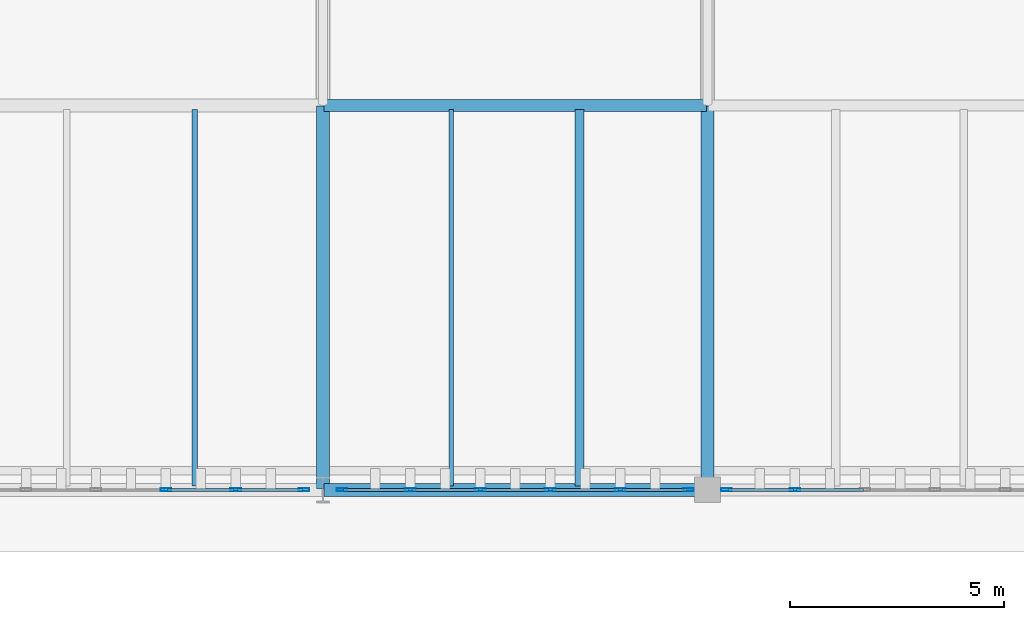
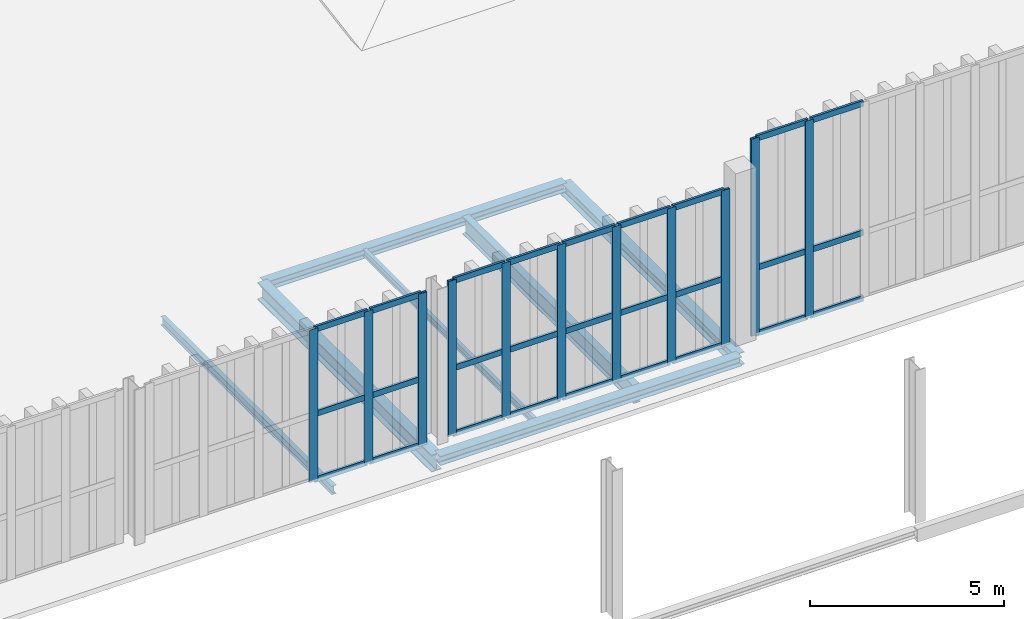
# One storey, part 23 of 196: 38 members, 7 beams, 3 elements without a shape of their own.
"""IFC4 building model written with IfcOpenShell, lengths in metres."""

from ifc_helpers import new_model, si_unit, direction, frame, origin, origin_2d, place, context, subcontext, project, spatial, hollow_rectangle, i_section, extrude, material, layer, layer_set, material_profile, profile_set, type_object, element, aggregate, save


model = new_model("IFC4")

# Units and contexts
model_context = context("Model", 3, precision=1e-05, world=origin(), true_north=direction((0.0, 1.0)))
body_context = subcontext(model_context, "Body", "Model", "MODEL_VIEW")
ifc_project = project(units=[si_unit("LENGTHUNIT", "METRE"), si_unit("AREAUNIT", "SQUARE_METRE"), si_unit("VOLUMEUNIT", "CUBIC_METRE"), si_unit("PLANEANGLEUNIT", "RADIAN"), si_unit("MASSUNIT", "GRAM", prefix="KILO")], contexts=[model_context])

# Site, building, storey
site_placement = place(None, origin())
site = spatial("IfcSite", under=ifc_project, at=site_placement, CompositionType="ELEMENT")
building_placement = place(site_placement, origin())
building = spatial("IfcBuilding", under=site, at=building_placement, Name="Barlavento Convention Centre", CompositionType="ELEMENT")
storey_placement = place(building_placement, frame((0.0, 0.0, 18.0)))
storey = spatial("IfcBuildingStorey", under=building, at=storey_placement, Name="L03", CompositionType="ELEMENT", Elevation=18.0)

# Curtain wall, members
ifc_material_1 = material(Name="Powder-coated aluminium and Low-E glass", Category="aluminium")
ifc_layer = layer(ifc_material_1, 0.18994140625)
ifc_layer_set = layer_set([ifc_layer], Name="ARC-CW-CONG-L02")
curtain_wall_type = type_object("IfcCurtainWallType", Name="ARC-CW-CONG-L02", PredefinedType="NOTDEFINED", material=ifc_layer_set)
curtain_wall_1_placement = place(storey_placement, origin())
curtain_wall_1 = element("IfcCurtainWall", 1, at=curtain_wall_1_placement, inside=storey, type_object=curtain_wall_type, Name="L03 unitised curtain wall CW02", PredefinedType="NOTDEFINED")
ifc_material_2 = material(Name="Powder-coated aluminium", Category="aluminium")
ifc_material_profile_1 = material_profile(ifc_material_2, hollow_rectangle(XDim=0.074951171875, YDim=0.25, WallThickness=0.006103515625, at=origin_2d()), Name="AL-MULL 75x250x6")
ifc_profile_set_1 = profile_set([ifc_material_profile_1], Name="Powder-coated aluminium")
member_type_1 = type_object("IfcMemberType", Name="ARC-CWM-75X250", PredefinedType="MULLION", material=ifc_profile_set_1)
member_1_placement = place(storey_placement, frame((32.322998046875, 54.0, 0.10009765625), z_axis=(0.0, 0.0, 1.0), x_axis=(0.0, 1.0, 0.0)))
member_1 = element("IfcMember", 2, at=member_1_placement, type_object=member_type_1, Name="CW02 mullion 4", PredefinedType="MULLION", context=body_context, shape_type="SweptSolid", body=[
    extrude(hollow_rectangle(XDim=0.074951171875, YDim=0.25, WallThickness=0.006103515625, at=origin_2d()), origin(), (0.0, 0.0, 1.0), 4.788818359375),
])
member_2_placement = place(storey_placement, frame((33.958984375, 54.0, 0.10009765625), z_axis=(0.0, 0.0, 1.0), x_axis=(0.0, 1.0, 0.0)))
member_2 = element("IfcMember", 3, at=member_2_placement, type_object=member_type_1, Name="CW02 mullion 5", PredefinedType="MULLION", context=body_context, shape_type="SweptSolid", body=[
    extrude(hollow_rectangle(XDim=0.074951171875, YDim=0.25, WallThickness=0.006103515625, at=origin_2d()), origin(), (0.0, 0.0, 1.0), 4.788818359375),
])
member_3_placement = place(storey_placement, frame((35.5576171875, 54.0, 0.10009765625), z_axis=(0.0, 0.0, 1.0), x_axis=(0.0, 1.0, 0.0)))
member_3 = element("IfcMember", 4, at=member_3_placement, type_object=member_type_1, Name="CW02 mullion 6", PredefinedType="MULLION", context=body_context, shape_type="SweptSolid", body=[
    extrude(hollow_rectangle(XDim=0.074951171875, YDim=0.25, WallThickness=0.006103515625, at=origin_2d()), origin(), (0.0, 0.0, 1.0), 4.788818359375),
])

curtain_wall_2_placement = place(storey_placement, origin())
curtain_wall_2 = element("IfcCurtainWall", 5, at=curtain_wall_2_placement, inside=storey, type_object=curtain_wall_type, Name="L03 unitised curtain wall CW02", PredefinedType="NOTDEFINED")
member_4_placement = place(storey_placement, frame((36.4423828125, 54.0, 0.10009765625), z_axis=(0.0, 0.0, 1.0), x_axis=(0.0, 1.0, 0.0)))
member_4 = element("IfcMember", 6, at=member_4_placement, type_object=member_type_1, Name="CW02 mullion 1", PredefinedType="MULLION", context=body_context, shape_type="SweptSolid", body=[
    extrude(hollow_rectangle(XDim=0.074951171875, YDim=0.25, WallThickness=0.006103515625, at=origin_2d()), origin(), (0.0, 0.0, 1.0), 4.8759765625),
])
member_5_placement = place(storey_placement, frame((38.04296875, 54.0, 0.10009765625), z_axis=(0.0, 0.0, 1.0), x_axis=(0.0, 1.0, 0.0)))
member_5 = element("IfcMember", 7, at=member_5_placement, type_object=member_type_1, Name="CW02 mullion 2", PredefinedType="MULLION", context=body_context, shape_type="SweptSolid", body=[
    extrude(hollow_rectangle(XDim=0.074951171875, YDim=0.25, WallThickness=0.006103515625, at=origin_2d()), origin(), (0.0, 0.0, 1.0), 4.8759765625),
])
member_6_placement = place(storey_placement, frame((39.680908203125, 54.0, 0.10009765625), z_axis=(0.0, 0.0, 1.0), x_axis=(0.0, 1.0, 0.0)))
member_6 = element("IfcMember", 8, at=member_6_placement, type_object=member_type_1, Name="CW02 mullion 3", PredefinedType="MULLION", context=body_context, shape_type="SweptSolid", body=[
    extrude(hollow_rectangle(XDim=0.074951171875, YDim=0.25, WallThickness=0.006103515625, at=origin_2d()), origin(), (0.0, 0.0, 1.0), 4.8759765625),
])
member_7_placement = place(storey_placement, frame((41.319091796875, 54.0, 0.10009765625), z_axis=(0.0, 0.0, 1.0), x_axis=(0.0, 1.0, 0.0)))
member_7 = element("IfcMember", 9, at=member_7_placement, type_object=member_type_1, Name="CW02 mullion 4", PredefinedType="MULLION", context=body_context, shape_type="SweptSolid", body=[
    extrude(hollow_rectangle(XDim=0.074951171875, YDim=0.25, WallThickness=0.006103515625, at=origin_2d()), origin(), (0.0, 0.0, 1.0), 4.8759765625),
])
member_8_placement = place(storey_placement, frame((42.95703125, 54.0, 0.10009765625), z_axis=(0.0, 0.0, 1.0), x_axis=(0.0, 1.0, 0.0)))
member_8 = element("IfcMember", 10, at=member_8_placement, type_object=member_type_1, Name="CW02 mullion 5", PredefinedType="MULLION", context=body_context, shape_type="SweptSolid", body=[
    extrude(hollow_rectangle(XDim=0.074951171875, YDim=0.25, WallThickness=0.006103515625, at=origin_2d()), origin(), (0.0, 0.0, 1.0), 4.8759765625),
])
member_9_placement = place(storey_placement, frame((44.5576171875, 54.0, 0.10009765625), z_axis=(0.0, 0.0, 1.0), x_axis=(0.0, 1.0, 0.0)))
member_9 = element("IfcMember", 11, at=member_9_placement, type_object=member_type_1, Name="CW02 mullion 6", PredefinedType="MULLION", context=body_context, shape_type="SweptSolid", body=[
    extrude(hollow_rectangle(XDim=0.074951171875, YDim=0.25, WallThickness=0.006103515625, at=origin_2d()), origin(), (0.0, 0.0, 1.0), 4.8759765625),
])

curtain_wall_3_placement = place(storey_placement, origin())
curtain_wall_3 = element("IfcCurtainWall", 12, at=curtain_wall_3_placement, inside=storey, type_object=curtain_wall_type, Name="L03 unitised curtain wall CW02", PredefinedType="NOTDEFINED")
member_10_placement = place(storey_placement, frame((45.4423828125, 54.0, 0.10009765625), z_axis=(0.0, 0.0, 1.0), x_axis=(0.0, 1.0, 0.0)))
member_10 = element("IfcMember", 13, at=member_10_placement, type_object=member_type_1, Name="CW02 mullion 1", PredefinedType="MULLION", context=body_context, shape_type="SweptSolid", body=[
    extrude(hollow_rectangle(XDim=0.074951171875, YDim=0.25, WallThickness=0.006103515625, at=origin_2d()), origin(), (0.0, 0.0, 1.0), 6.19287109375),
])
member_11_placement = place(storey_placement, frame((47.0458984375, 54.0, 0.10009765625), z_axis=(0.0, 0.0, 1.0), x_axis=(0.0, 1.0, 0.0)))
member_11 = element("IfcMember", 14, at=member_11_placement, type_object=member_type_1, Name="CW02 mullion 2", PredefinedType="MULLION", context=body_context, shape_type="SweptSolid", body=[
    extrude(hollow_rectangle(XDim=0.074951171875, YDim=0.25, WallThickness=0.006103515625, at=origin_2d()), origin(), (0.0, 0.0, 1.0), 6.19287109375),
])

# Member
ifc_material_profile_2 = material_profile(ifc_material_2, hollow_rectangle(XDim=0.070068359375, YDim=0.179931640625, WallThickness=0.0048828125, at=origin_2d()), Name="AL-TRAN 70x180x5")
ifc_profile_set_2 = profile_set([ifc_material_profile_2], Name="Powder-coated aluminium")
member_type_2 = type_object("IfcMemberType", Name="ARC-CWT-70X180", PredefinedType="USERDEFINED", material=ifc_profile_set_2)
member_12_placement = place(storey_placement, frame((32.360595703125, 54.0, 0.135009765625), z_axis=(1.0, 0.0, 0.0), x_axis=(0.0, 1.0, 0.0)))
member_12 = element("IfcMember", 15, at=member_12_placement, type_object=member_type_2, Name="CW02 transom 4.1", ObjectType="TRANSOM", PredefinedType="USERDEFINED", context=body_context, shape_type="SweptSolid", body=[
    extrude(hollow_rectangle(XDim=0.070068359375, YDim=0.179931640625, WallThickness=0.0048828125, at=origin_2d()), origin(), (0.0, 0.0, 1.0), 1.560791015625),
])

member_13_placement = place(storey_placement, frame((32.360595703125, 54.0, 2.199951171875), z_axis=(1.0, 0.0, 0.0), x_axis=(0.0, 1.0, 0.0)))
member_13 = element("IfcMember", 16, at=member_13_placement, type_object=member_type_2, Name="CW02 transom 4.2", ObjectType="TRANSOM", PredefinedType="USERDEFINED", context=body_context, shape_type="SweptSolid", body=[
    extrude(hollow_rectangle(XDim=0.070068359375, YDim=0.179931640625, WallThickness=0.0048828125, at=origin_2d()), origin(), (0.0, 0.0, 1.0), 1.560791015625),
])

member_14_placement = place(storey_placement, frame((32.360595703125, 54.0, 4.85400390625), z_axis=(1.0, 0.0, 0.0), x_axis=(0.0, 1.0, 0.0)))
member_14 = element("IfcMember", 17, at=member_14_placement, type_object=member_type_2, Name="CW02 transom 4.3", ObjectType="TRANSOM", PredefinedType="USERDEFINED", context=body_context, shape_type="SweptSolid", body=[
    extrude(hollow_rectangle(XDim=0.070068359375, YDim=0.179931640625, WallThickness=0.0048828125, at=origin_2d()), origin(), (0.0, 0.0, 1.0), 1.560791015625),
])

member_15_placement = place(storey_placement, frame((33.99658203125, 54.0, 0.135009765625), z_axis=(1.0, 0.0, 0.0), x_axis=(0.0, 1.0, 0.0)))
member_15 = element("IfcMember", 18, at=member_15_placement, type_object=member_type_2, Name="CW02 transom 5.1", ObjectType="TRANSOM", PredefinedType="USERDEFINED", context=body_context, shape_type="SweptSolid", body=[
    extrude(hollow_rectangle(XDim=0.070068359375, YDim=0.179931640625, WallThickness=0.0048828125, at=origin_2d()), origin(), (0.0, 0.0, 1.0), 1.5234375),
])

member_16_placement = place(storey_placement, frame((33.99658203125, 54.0, 2.199951171875), z_axis=(1.0, 0.0, 0.0), x_axis=(0.0, 1.0, 0.0)))
member_16 = element("IfcMember", 19, at=member_16_placement, type_object=member_type_2, Name="CW02 transom 5.2", ObjectType="TRANSOM", PredefinedType="USERDEFINED", context=body_context, shape_type="SweptSolid", body=[
    extrude(hollow_rectangle(XDim=0.070068359375, YDim=0.179931640625, WallThickness=0.0048828125, at=origin_2d()), origin(), (0.0, 0.0, 1.0), 1.5234375),
])

member_17_placement = place(storey_placement, frame((33.99658203125, 54.0, 4.85400390625), z_axis=(1.0, 0.0, 0.0), x_axis=(0.0, 1.0, 0.0)))
member_17 = element("IfcMember", 20, at=member_17_placement, type_object=member_type_2, Name="CW02 transom 5.3", ObjectType="TRANSOM", PredefinedType="USERDEFINED", context=body_context, shape_type="SweptSolid", body=[
    extrude(hollow_rectangle(XDim=0.070068359375, YDim=0.179931640625, WallThickness=0.0048828125, at=origin_2d()), origin(), (0.0, 0.0, 1.0), 1.5234375),
])

aggregate(curtain_wall_1, [member_1, member_2, member_3, member_12, member_13, member_14, member_15, member_16, member_17])

member_18_placement = place(storey_placement, frame((36.47998046875, 54.0, 0.135009765625), z_axis=(1.0, 0.0, 0.0), x_axis=(0.0, 1.0, 0.0)))
member_18 = element("IfcMember", 21, at=member_18_placement, type_object=member_type_2, Name="CW02 transom 1.1", ObjectType="TRANSOM", PredefinedType="USERDEFINED", context=body_context, shape_type="SweptSolid", body=[
    extrude(hollow_rectangle(XDim=0.070068359375, YDim=0.179931640625, WallThickness=0.0048828125, at=origin_2d()), origin(), (0.0, 0.0, 1.0), 1.525634765625),
])

member_19_placement = place(storey_placement, frame((36.47998046875, 54.0, 2.199951171875), z_axis=(1.0, 0.0, 0.0), x_axis=(0.0, 1.0, 0.0)))
member_19 = element("IfcMember", 22, at=member_19_placement, type_object=member_type_2, Name="CW02 transom 1.2", ObjectType="TRANSOM", PredefinedType="USERDEFINED", context=body_context, shape_type="SweptSolid", body=[
    extrude(hollow_rectangle(XDim=0.070068359375, YDim=0.179931640625, WallThickness=0.0048828125, at=origin_2d()), origin(), (0.0, 0.0, 1.0), 1.525634765625),
])

member_20_placement = place(storey_placement, frame((36.47998046875, 54.0, 4.94091796875), z_axis=(1.0, 0.0, 0.0), x_axis=(0.0, 1.0, 0.0)))
member_20 = element("IfcMember", 23, at=member_20_placement, type_object=member_type_2, Name="CW02 transom 1.3", ObjectType="TRANSOM", PredefinedType="USERDEFINED", context=body_context, shape_type="SweptSolid", body=[
    extrude(hollow_rectangle(XDim=0.070068359375, YDim=0.179931640625, WallThickness=0.0048828125, at=origin_2d()), origin(), (0.0, 0.0, 1.0), 1.525634765625),
])

member_21_placement = place(storey_placement, frame((38.08056640625, 54.0, 0.135009765625), z_axis=(1.0, 0.0, 0.0), x_axis=(0.0, 1.0, 0.0)))
member_21 = element("IfcMember", 24, at=member_21_placement, type_object=member_type_2, Name="CW02 transom 2.1", ObjectType="TRANSOM", PredefinedType="USERDEFINED", context=body_context, shape_type="SweptSolid", body=[
    extrude(hollow_rectangle(XDim=0.070068359375, YDim=0.179931640625, WallThickness=0.0048828125, at=origin_2d()), origin(), (0.0, 0.0, 1.0), 1.56298828125),
])

member_22_placement = place(storey_placement, frame((38.08056640625, 54.0, 2.199951171875), z_axis=(1.0, 0.0, 0.0), x_axis=(0.0, 1.0, 0.0)))
member_22 = element("IfcMember", 25, at=member_22_placement, type_object=member_type_2, Name="CW02 transom 2.2", ObjectType="TRANSOM", PredefinedType="USERDEFINED", context=body_context, shape_type="SweptSolid", body=[
    extrude(hollow_rectangle(XDim=0.070068359375, YDim=0.179931640625, WallThickness=0.0048828125, at=origin_2d()), origin(), (0.0, 0.0, 1.0), 1.56298828125),
])

member_23_placement = place(storey_placement, frame((38.08056640625, 54.0, 4.94091796875), z_axis=(1.0, 0.0, 0.0), x_axis=(0.0, 1.0, 0.0)))
member_23 = element("IfcMember", 26, at=member_23_placement, type_object=member_type_2, Name="CW02 transom 2.3", ObjectType="TRANSOM", PredefinedType="USERDEFINED", context=body_context, shape_type="SweptSolid", body=[
    extrude(hollow_rectangle(XDim=0.070068359375, YDim=0.179931640625, WallThickness=0.0048828125, at=origin_2d()), origin(), (0.0, 0.0, 1.0), 1.56298828125),
])

member_24_placement = place(storey_placement, frame((39.718505859375, 54.0, 0.135009765625), z_axis=(1.0, 0.0, 0.0), x_axis=(0.0, 1.0, 0.0)))
member_24 = element("IfcMember", 27, at=member_24_placement, type_object=member_type_2, Name="CW02 transom 3.1", ObjectType="TRANSOM", PredefinedType="USERDEFINED", context=body_context, shape_type="SweptSolid", body=[
    extrude(hollow_rectangle(XDim=0.070068359375, YDim=0.179931640625, WallThickness=0.0048828125, at=origin_2d()), origin(), (0.0, 0.0, 1.0), 1.56298828125),
])

member_25_placement = place(storey_placement, frame((39.718505859375, 54.0, 2.199951171875), z_axis=(1.0, 0.0, 0.0), x_axis=(0.0, 1.0, 0.0)))
member_25 = element("IfcMember", 28, at=member_25_placement, type_object=member_type_2, Name="CW02 transom 3.2", ObjectType="TRANSOM", PredefinedType="USERDEFINED", context=body_context, shape_type="SweptSolid", body=[
    extrude(hollow_rectangle(XDim=0.070068359375, YDim=0.179931640625, WallThickness=0.0048828125, at=origin_2d()), origin(), (0.0, 0.0, 1.0), 1.56298828125),
])

member_26_placement = place(storey_placement, frame((39.718505859375, 54.0, 4.94091796875), z_axis=(1.0, 0.0, 0.0), x_axis=(0.0, 1.0, 0.0)))
member_26 = element("IfcMember", 29, at=member_26_placement, type_object=member_type_2, Name="CW02 transom 3.3", ObjectType="TRANSOM", PredefinedType="USERDEFINED", context=body_context, shape_type="SweptSolid", body=[
    extrude(hollow_rectangle(XDim=0.070068359375, YDim=0.179931640625, WallThickness=0.0048828125, at=origin_2d()), origin(), (0.0, 0.0, 1.0), 1.56298828125),
])

member_27_placement = place(storey_placement, frame((41.3564453125, 54.0, 0.135009765625), z_axis=(1.0, 0.0, 0.0), x_axis=(0.0, 1.0, 0.0)))
member_27 = element("IfcMember", 30, at=member_27_placement, type_object=member_type_2, Name="CW02 transom 4.1", ObjectType="TRANSOM", PredefinedType="USERDEFINED", context=body_context, shape_type="SweptSolid", body=[
    extrude(hollow_rectangle(XDim=0.070068359375, YDim=0.179931640625, WallThickness=0.0048828125, at=origin_2d()), origin(), (0.0, 0.0, 1.0), 1.56298828125),
])

member_28_placement = place(storey_placement, frame((41.3564453125, 54.0, 2.199951171875), z_axis=(1.0, 0.0, 0.0), x_axis=(0.0, 1.0, 0.0)))
member_28 = element("IfcMember", 31, at=member_28_placement, type_object=member_type_2, Name="CW02 transom 4.2", ObjectType="TRANSOM", PredefinedType="USERDEFINED", context=body_context, shape_type="SweptSolid", body=[
    extrude(hollow_rectangle(XDim=0.070068359375, YDim=0.179931640625, WallThickness=0.0048828125, at=origin_2d()), origin(), (0.0, 0.0, 1.0), 1.56298828125),
])

member_29_placement = place(storey_placement, frame((41.3564453125, 54.0, 4.94091796875), z_axis=(1.0, 0.0, 0.0), x_axis=(0.0, 1.0, 0.0)))
member_29 = element("IfcMember", 32, at=member_29_placement, type_object=member_type_2, Name="CW02 transom 4.3", ObjectType="TRANSOM", PredefinedType="USERDEFINED", context=body_context, shape_type="SweptSolid", body=[
    extrude(hollow_rectangle(XDim=0.070068359375, YDim=0.179931640625, WallThickness=0.0048828125, at=origin_2d()), origin(), (0.0, 0.0, 1.0), 1.56298828125),
])

member_30_placement = place(storey_placement, frame((42.994384765625, 54.0, 0.135009765625), z_axis=(1.0, 0.0, 0.0), x_axis=(0.0, 1.0, 0.0)))
member_30 = element("IfcMember", 33, at=member_30_placement, type_object=member_type_2, Name="CW02 transom 5.1", ObjectType="TRANSOM", PredefinedType="USERDEFINED", context=body_context, shape_type="SweptSolid", body=[
    extrude(hollow_rectangle(XDim=0.070068359375, YDim=0.179931640625, WallThickness=0.0048828125, at=origin_2d()), origin(), (0.0, 0.0, 1.0), 1.525634765625),
])

member_31_placement = place(storey_placement, frame((42.994384765625, 54.0, 2.199951171875), z_axis=(1.0, 0.0, 0.0), x_axis=(0.0, 1.0, 0.0)))
member_31 = element("IfcMember", 34, at=member_31_placement, type_object=member_type_2, Name="CW02 transom 5.2", ObjectType="TRANSOM", PredefinedType="USERDEFINED", context=body_context, shape_type="SweptSolid", body=[
    extrude(hollow_rectangle(XDim=0.070068359375, YDim=0.179931640625, WallThickness=0.0048828125, at=origin_2d()), origin(), (0.0, 0.0, 1.0), 1.525634765625),
])

member_32_placement = place(storey_placement, frame((42.994384765625, 54.0, 4.94091796875), z_axis=(1.0, 0.0, 0.0), x_axis=(0.0, 1.0, 0.0)))
member_32 = element("IfcMember", 35, at=member_32_placement, type_object=member_type_2, Name="CW02 transom 5.3", ObjectType="TRANSOM", PredefinedType="USERDEFINED", context=body_context, shape_type="SweptSolid", body=[
    extrude(hollow_rectangle(XDim=0.070068359375, YDim=0.179931640625, WallThickness=0.0048828125, at=origin_2d()), origin(), (0.0, 0.0, 1.0), 1.525634765625),
])

aggregate(curtain_wall_2, [member_4, member_5, member_6, member_7, member_8, member_9, member_18, member_19, member_20, member_21, member_22, member_23, member_24, member_25, member_26, member_27, member_28, member_29, member_30, member_31, member_32])

member_33_placement = place(storey_placement, frame((45.47998046875, 54.0, 0.135009765625), z_axis=(1.0, 0.0, 0.0), x_axis=(0.0, 1.0, 0.0)))
member_33 = element("IfcMember", 36, at=member_33_placement, type_object=member_type_2, Name="CW02 transom 1.1", ObjectType="TRANSOM", PredefinedType="USERDEFINED", context=body_context, shape_type="SweptSolid", body=[
    extrude(hollow_rectangle(XDim=0.070068359375, YDim=0.179931640625, WallThickness=0.0048828125, at=origin_2d()), origin(), (0.0, 0.0, 1.0), 1.5283203125),
])

member_34_placement = place(storey_placement, frame((45.47998046875, 54.0, 2.199951171875), z_axis=(1.0, 0.0, 0.0), x_axis=(0.0, 1.0, 0.0)))
member_34 = element("IfcMember", 37, at=member_34_placement, type_object=member_type_2, Name="CW02 transom 1.2", ObjectType="TRANSOM", PredefinedType="USERDEFINED", context=body_context, shape_type="SweptSolid", body=[
    extrude(hollow_rectangle(XDim=0.070068359375, YDim=0.179931640625, WallThickness=0.0048828125, at=origin_2d()), origin(), (0.0, 0.0, 1.0), 1.5283203125),
])

member_35_placement = place(storey_placement, frame((45.47998046875, 54.0, 6.258056640625), z_axis=(1.0, 0.0, 0.0), x_axis=(0.0, 1.0, 0.0)))
member_35 = element("IfcMember", 38, at=member_35_placement, type_object=member_type_2, Name="CW02 transom 1.3", ObjectType="TRANSOM", PredefinedType="USERDEFINED", context=body_context, shape_type="SweptSolid", body=[
    extrude(hollow_rectangle(XDim=0.070068359375, YDim=0.179931640625, WallThickness=0.0048828125, at=origin_2d()), origin(), (0.0, 0.0, 1.0), 1.5283203125),
])

member_36_placement = place(storey_placement, frame((47.083251953125, 54.0, 0.135009765625), z_axis=(1.0, 0.0, 0.0), x_axis=(0.0, 1.0, 0.0)))
member_36 = element("IfcMember", 39, at=member_36_placement, type_object=member_type_2, Name="CW02 transom 2.1", ObjectType="TRANSOM", PredefinedType="USERDEFINED", context=body_context, shape_type="SweptSolid", body=[
    extrude(hollow_rectangle(XDim=0.070068359375, YDim=0.179931640625, WallThickness=0.0048828125, at=origin_2d()), origin(), (0.0, 0.0, 1.0), 1.56591796875),
])

member_37_placement = place(storey_placement, frame((47.083251953125, 54.0, 2.199951171875), z_axis=(1.0, 0.0, 0.0), x_axis=(0.0, 1.0, 0.0)))
member_37 = element("IfcMember", 40, at=member_37_placement, type_object=member_type_2, Name="CW02 transom 2.2", ObjectType="TRANSOM", PredefinedType="USERDEFINED", context=body_context, shape_type="SweptSolid", body=[
    extrude(hollow_rectangle(XDim=0.070068359375, YDim=0.179931640625, WallThickness=0.0048828125, at=origin_2d()), origin(), (0.0, 0.0, 1.0), 1.56591796875),
])

member_38_placement = place(storey_placement, frame((47.083251953125, 54.0, 6.258056640625), z_axis=(1.0, 0.0, 0.0), x_axis=(0.0, 1.0, 0.0)))
member_38 = element("IfcMember", 41, at=member_38_placement, type_object=member_type_2, Name="CW02 transom 2.3", ObjectType="TRANSOM", PredefinedType="USERDEFINED", context=body_context, shape_type="SweptSolid", body=[
    extrude(hollow_rectangle(XDim=0.070068359375, YDim=0.179931640625, WallThickness=0.0048828125, at=origin_2d()), origin(), (0.0, 0.0, 1.0), 1.56591796875),
])

aggregate(curtain_wall_3, [member_10, member_11, member_33, member_34, member_35, member_36, member_37, member_38])

# Beams
ifc_material_3 = material(Name="Steel S355", Category="steel")
ifc_material_profile_3 = material_profile(ifc_material_3, i_section(OverallWidth=0.110107421875, OverallDepth=0.219970703125, WebThickness=0.005859375, FlangeThickness=0.00927734375, FilletRadius=0.011962890625, at=origin_2d()), Name="IPE 220")
ifc_profile_set_3 = profile_set([ifc_material_profile_3], Name="Steel S355")
beam_type_1 = type_object("IfcBeamType", Name="STR-BM-JST-IPE220", PredefinedType="JOIST", material=ifc_profile_set_3)
beam_1_placement = place(storey_placement, frame((39.0, 54.094970703125, -0.455078125), z_axis=(0.0, 1.0, 0.0), x_axis=(-1.0, 0.0, 0.0)))
element("IfcBeam", 42, at=beam_1_placement, inside=storey, type_object=beam_type_1, Name="L03 composite floor joist SJ10", PredefinedType="JOIST", context=body_context, shape_type="SweptSolid", body=[
    extrude(i_section(OverallWidth=0.110107421875, OverallDepth=0.219970703125, WebThickness=0.005859375, FlangeThickness=0.00927734375, FilletRadius=0.011962890625, at=origin_2d()), origin(), (0.0, 0.0, 1.0), 8.81005859375),
])
ifc_material_profile_4 = material_profile(ifc_material_3, i_section(OverallWidth=0.135009765625, OverallDepth=0.27001953125, WebThickness=0.006591796875, FlangeThickness=0.01025390625, FilletRadius=0.014892578125, at=origin_2d()), Name="IPE 270")
ifc_profile_set_4 = profile_set([ifc_material_profile_4], Name="Steel S355")
beam_type_2 = type_object("IfcBeamType", Name="STR-BM-JST-IPE270", PredefinedType="JOIST", material=ifc_profile_set_4)
beam_2_placement = place(storey_placement, frame((33.0, 54.094970703125, -0.47998046875), z_axis=(0.0, 1.0, 0.0), x_axis=(-1.0, 0.0, 0.0)))
element("IfcBeam", 43, at=beam_2_placement, inside=storey, type_object=beam_type_2, Name="L03 composite floor joist SJ08", PredefinedType="JOIST", context=body_context, shape_type="SweptSolid", body=[
    extrude(i_section(OverallWidth=0.135009765625, OverallDepth=0.27001953125, WebThickness=0.006591796875, FlangeThickness=0.01025390625, FilletRadius=0.014892578125, at=origin_2d()), origin(), (0.0, 0.0, 1.0), 8.81005859375),
])
ifc_material_profile_5 = material_profile(ifc_material_3, i_section(OverallWidth=0.2099609375, OverallDepth=0.550048828125, WebThickness=0.010986328125, FlangeThickness=0.01708984375, FilletRadius=0.02392578125, at=origin_2d()), Name="IPE 550")
ifc_profile_set_5 = profile_set([ifc_material_profile_5], Name="Steel S355")
beam_type_3 = type_object("IfcBeamType", Name="STR-BM-JST-IPE550", PredefinedType="JOIST", material=ifc_profile_set_5)
beam_3_placement = place(storey_placement, frame((42.0, 54.094970703125, -0.6201171875), z_axis=(0.0, 1.0, 0.0), x_axis=(-1.0, 0.0, 0.0)))
element("IfcBeam", 44, at=beam_3_placement, inside=storey, type_object=beam_type_3, Name="L03 composite floor joist SJ01", PredefinedType="JOIST", context=body_context, shape_type="SweptSolid", body=[
    extrude(i_section(OverallWidth=0.2099609375, OverallDepth=0.550048828125, WebThickness=0.010986328125, FlangeThickness=0.01708984375, FilletRadius=0.02392578125, at=origin_2d()), origin(), (0.0, 0.0, 1.0), 8.81005859375),
])
ifc_material_profile_6 = material_profile(ifc_material_3, i_section(OverallWidth=0.300048828125, OverallDepth=0.389892578125, WebThickness=0.010986328125, FlangeThickness=0.01904296875, FilletRadius=0.027099609375, at=origin_2d()), Name="HEA 400")
ifc_profile_set_6 = profile_set([ifc_material_profile_6], Name="Steel S355")
beam_type_4 = type_object("IfcBeamType", Name="STR-BM-PRI-HEA400", PredefinedType="BEAM", material=ifc_profile_set_6)
beam_4_placement = place(storey_placement, frame((45.0, 54.02001953125, -0.5400390625), z_axis=(0.0, 1.0, 0.0), x_axis=(-1.0, 0.0, 0.0)))
element("IfcBeam", 45, at=beam_4_placement, inside=storey, type_object=beam_type_4, Name="L03 grid girder BG22", PredefinedType="BEAM", context=body_context, shape_type="SweptSolid", body=[
    extrude(i_section(OverallWidth=0.300048828125, OverallDepth=0.389892578125, WebThickness=0.010986328125, FlangeThickness=0.01904296875, FilletRadius=0.027099609375, at=origin_2d()), origin(), (0.0, 0.0, 1.0), 8.9599609375),
])
ifc_material_profile_7 = material_profile(ifc_material_3, i_section(OverallWidth=0.300048828125, OverallDepth=0.5400390625, WebThickness=0.012451171875, FlangeThickness=0.02392578125, FilletRadius=0.027099609375, at=origin_2d()), Name="HEA 550")
ifc_profile_set_7 = profile_set([ifc_material_profile_7], Name="Steel S355")
beam_type_5 = type_object("IfcBeamType", Name="STR-BM-PRI-HEA550", PredefinedType="BEAM", material=ifc_profile_set_7)
beam_5_placement = place(storey_placement, frame((36.0, 54.02001953125, -0.614990234375), z_axis=(0.0, 1.0, 0.0), x_axis=(-1.0, 0.0, 0.0)))
element("IfcBeam", 46, at=beam_5_placement, inside=storey, type_object=beam_type_5, Name="L03 grid girder BG19", PredefinedType="BEAM", context=body_context, shape_type="SweptSolid", body=[
    extrude(i_section(OverallWidth=0.300048828125, OverallDepth=0.5400390625, WebThickness=0.012451171875, FlangeThickness=0.02392578125, FilletRadius=0.027099609375, at=origin_2d()), origin(), (0.0, 0.0, 1.0), 8.9599609375),
])
ifc_material_profile_8 = material_profile(ifc_material_3, i_section(OverallWidth=0.280029296875, OverallDepth=0.280029296875, WebThickness=0.010498046875, FlangeThickness=0.01806640625, FilletRadius=0.02392578125, at=origin_2d()), Name="HEB 280")
ifc_profile_set_8 = profile_set([ifc_material_profile_8], Name="Steel S355")
beam_type_6 = type_object("IfcBeamType", Name="STR-BM-PRI-HEB280", PredefinedType="BEAM", material=ifc_profile_set_8)
beam_6_placement = place(storey_placement, frame((36.02001953125, 63.0, -0.485107421875), z_axis=(1.0, 0.0, 0.0), x_axis=(0.0, 1.0, 0.0)))
element("IfcBeam", 47, at=beam_6_placement, inside=storey, type_object=beam_type_6, Name="L03 primary girder BG15", PredefinedType="BEAM", context=body_context, shape_type="SweptSolid", body=[
    extrude(i_section(OverallWidth=0.280029296875, OverallDepth=0.280029296875, WebThickness=0.010498046875, FlangeThickness=0.01806640625, FilletRadius=0.02392578125, at=origin_2d()), origin(), (0.0, 0.0, 1.0), 8.9599609375),
])
ifc_material_profile_9 = material_profile(ifc_material_3, i_section(OverallWidth=0.300048828125, OverallDepth=0.2900390625, WebThickness=0.008544921875, FlangeThickness=0.013916015625, FilletRadius=0.027099609375, at=origin_2d()), Name="HEA 300")
ifc_profile_set_9 = profile_set([ifc_material_profile_9], Name="Steel S355")
beam_type_7 = type_object("IfcBeamType", Name="STR-BM-SPN-HEA300", PredefinedType="SPANDREL", material=ifc_profile_set_9)
beam_7_placement = place(storey_placement, frame((36.02001953125, 54.0, -0.489990234375), z_axis=(1.0, 0.0, 0.0), x_axis=(0.0, 1.0, 0.0)))
element("IfcBeam", 48, at=beam_7_placement, inside=storey, type_object=beam_type_7, Name="L03 primary girder SP02", PredefinedType="SPANDREL", context=body_context, shape_type="SweptSolid", body=[
    extrude(i_section(OverallWidth=0.300048828125, OverallDepth=0.2900390625, WebThickness=0.008544921875, FlangeThickness=0.013916015625, FilletRadius=0.027099609375, at=origin_2d()), origin(), (0.0, 0.0, 1.0), 8.9599609375),
])

save(model, "model.ifc")
